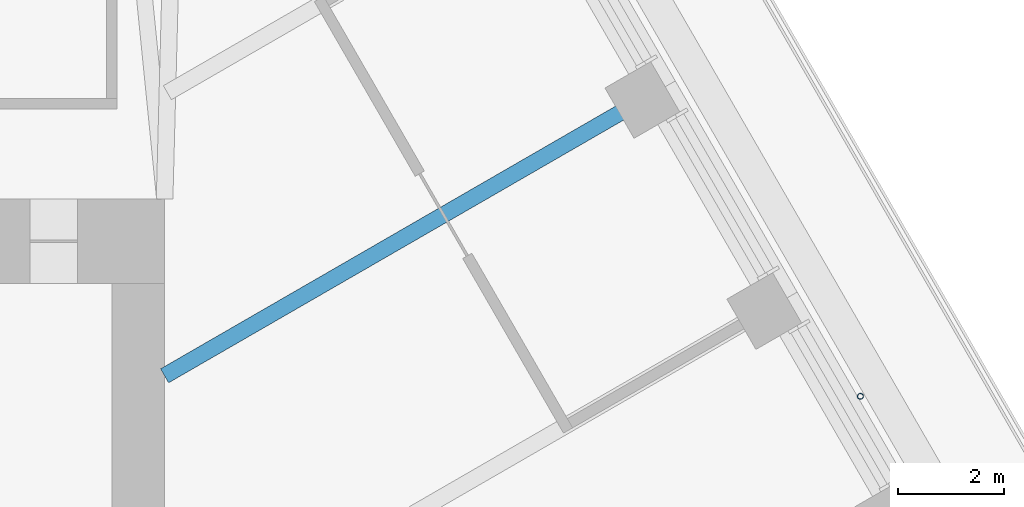
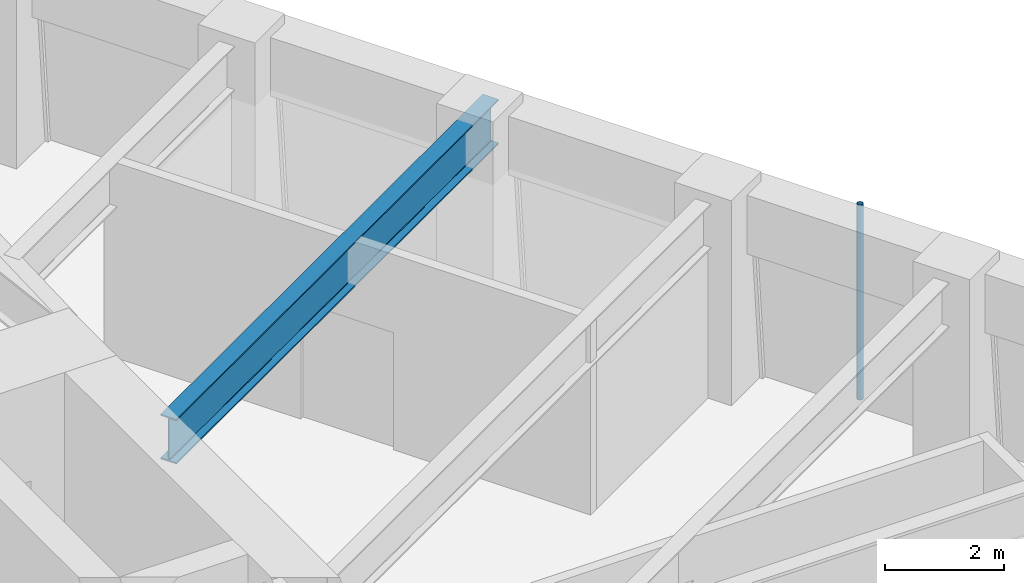
# One storey, part 10 of 20: 1 beam, 1 member.
"""IFC4 building model written with IfcOpenShell, lengths in metres."""

from ifc_helpers import new_model, si_unit, direction, frame, origin, origin_2d, place, context, subcontext, project, spatial, hollow_circle, i_section, extrude, material, material_profile, profile_set, type_object, element, save


model = new_model("IFC4")

# Units and contexts
model_context = context("Model", 3, precision=1e-05, world=origin(), true_north=direction((0.0, 1.0)))
body_context = subcontext(model_context, "Body", "Model", "MODEL_VIEW")
ifc_project = project(units=[si_unit("LENGTHUNIT", "METRE"), si_unit("AREAUNIT", "SQUARE_METRE"), si_unit("VOLUMEUNIT", "CUBIC_METRE"), si_unit("PLANEANGLEUNIT", "RADIAN"), si_unit("MASSUNIT", "GRAM", prefix="KILO")], contexts=[model_context])

# Site, building, storey
site_placement = place(None, origin())
site = spatial("IfcSite", under=ifc_project, at=site_placement, CompositionType="ELEMENT")
building_placement = place(site_placement, origin())
building = spatial("IfcBuilding", under=site, at=building_placement, Name="Tarfa Lantern Tower", CompositionType="ELEMENT")
storey_placement = place(building_placement, frame((0.0, 0.0, 286.89990234375)))
storey = spatial("IfcBuildingStorey", under=building, at=storey_placement, Name="L65", CompositionType="ELEMENT", Elevation=286.89990234375)

# Member
ifc_material_1 = material(Name="Steel S355", Category="steel")
ifc_material_profile_1 = material_profile(ifc_material_1, hollow_circle(Radius=0.05712890625, WallThickness=0.00634765625, at=origin_2d()), Name="CHS114.3x6.3")
ifc_profile_set_1 = profile_set([ifc_material_profile_1], Name="Steel S355")
member_type = type_object("IfcMemberType", Name="TR1 GREEN WALL TRELLIS CHS114.3x6.3", PredefinedType="USERDEFINED", material=ifc_profile_set_1)
member_placement = place(storey_placement, frame((28.682861328125, 8.56005859375, 0.0), z_axis=(0.0, 0.0, 1.0), x_axis=(1.0, 0.0, 0.0)))
element("IfcMember", 1, at=member_placement, inside=storey, type_object=member_type, Name="Trellis post NE 1", ObjectType="TRELLIS", PredefinedType="USERDEFINED", context=body_context, shape_type="SweptSolid", body=[
    extrude(hollow_circle(Radius=0.05712890625, WallThickness=0.00634765625, at=origin_2d()), origin(), (0.0, 0.0, 1.0), 4.0),
])

# Beam
ifc_material_2 = material(Name="Steel S460M", Category="steel")
ifc_material_profile_2 = material_profile(ifc_material_2, i_section(OverallWidth=0.305419921875, OverallDepth=0.91845703125, WebThickness=0.017333984375, FlangeThickness=0.02783203125, FilletRadius=0.01904296875, at=origin_2d()), Name="UB914x305x253")
ifc_profile_set_2 = profile_set([ifc_material_profile_2], Name="Steel S460M")
beam_type = type_object("IfcBeamType", Name="UB914x305x253", PredefinedType="BEAM", material=ifc_profile_set_2)
beam_placement = place(storey_placement, frame((24.872314453125, 14.360107421875, 3.541015625), z_axis=(-0.8660244219, -0.500001700669, 0.0), x_axis=(0.500001700669, -0.8660244219, 0.0)))
element("IfcBeam", 2, at=beam_placement, inside=storey, type_object=beam_type, Name="Floor beam NE3", PredefinedType="BEAM", context=body_context, shape_type="SweptSolid", body=[
    extrude(i_section(OverallWidth=0.305419921875, OverallDepth=0.91845703125, WebThickness=0.017333984375, FlangeThickness=0.02783203125, FilletRadius=0.01904296875, at=origin_2d()), origin(), (0.0, 0.0, 1.0), 10.822265625),
])

save(model, "model.ifc")
